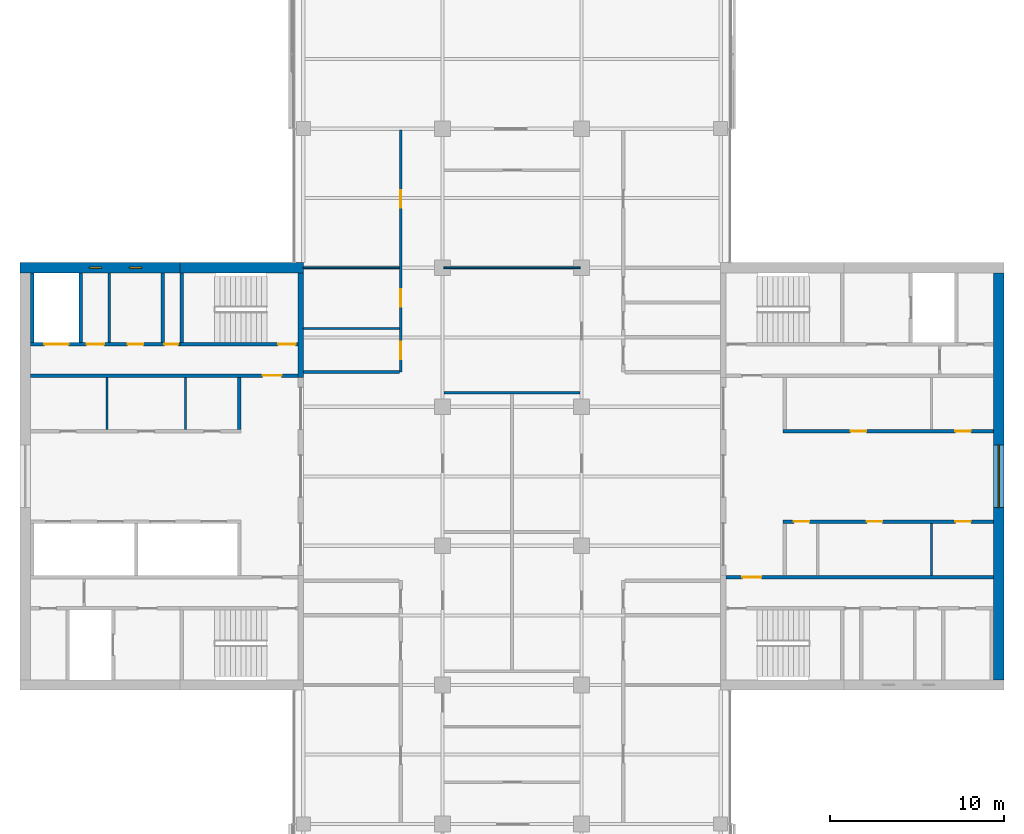
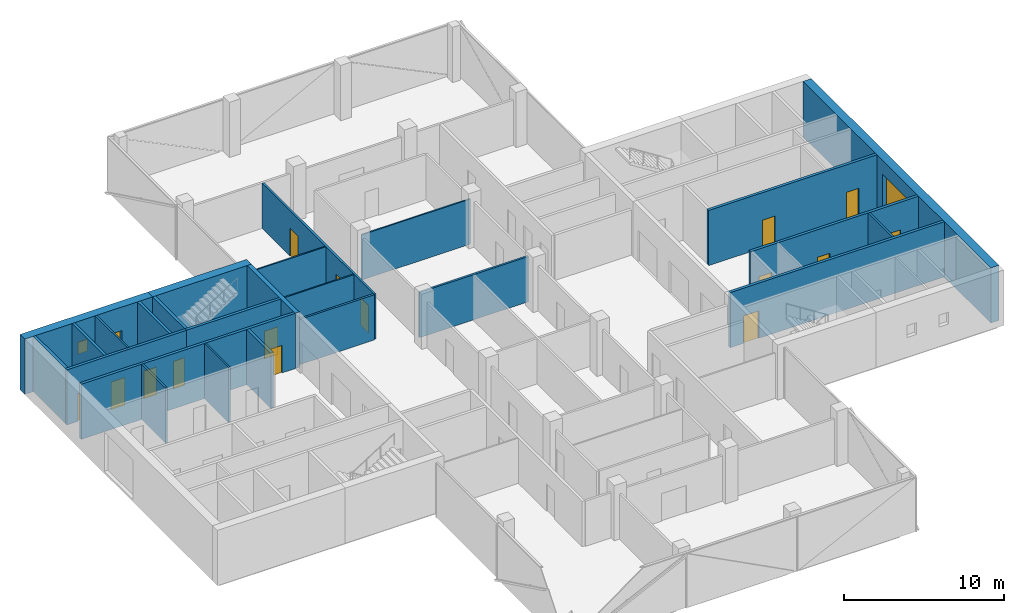
# One storey, part 11 of 16: 25 walls, 15 doors, 3 windows, 18 openings.
"""IFC4 building model written with IfcOpenShell, lengths in metres."""

from ifc_helpers import new_model, si_unit, direction, frame, frame_2d, origin, place, context, subcontext, project, spatial, rectangle, extrude, material, layer, layer_set, constituent, constituent_set, type_object, element, fill, save


model = new_model("IFC4")

# Units and contexts
model_context = context("Model", 3, precision=1e-05, world=origin(), true_north=direction((0.0, 1.0)))
body_context = subcontext(model_context, "Body", "Model", "MODEL_VIEW")
ifc_project = project(units=[si_unit("LENGTHUNIT", "METRE"), si_unit("AREAUNIT", "SQUARE_METRE"), si_unit("VOLUMEUNIT", "CUBIC_METRE"), si_unit("PLANEANGLEUNIT", "RADIAN"), si_unit("MASSUNIT", "GRAM", prefix="KILO")], contexts=[model_context])

# Site, building, storey
site_placement = place(None, origin())
site = spatial("IfcSite", under=ifc_project, at=site_placement, CompositionType="ELEMENT")
building_placement = place(site_placement, origin())
building = spatial("IfcBuilding", under=site, at=building_placement, Name="Crosswind Convention Tower", CompositionType="ELEMENT")
storey_placement = place(building_placement, frame((0.0, 0.0, 212.5)))
storey = spatial("IfcBuildingStorey", under=building, at=storey_placement, Name="L45", CompositionType="ELEMENT", Elevation=212.5)

# Walls
ifc_material_1 = material(Name="Concrete blockwork", Category="masonry")
ifc_layer_1 = layer(ifc_material_1, 0.199951171875)
ifc_layer_set_1 = layer_set([ifc_layer_1], Name="Blockwork partition wall 200")
wall_type_1 = type_object("IfcWallType", Name="Blockwork partition wall 200", PredefinedType="PARTITIONING", material=ifc_layer_set_1)
wall_1_placement = place(storey_placement, frame((104.89990234375, 111.699951171875, 0.0), z_axis=(0.0, 0.0, 1.0), x_axis=(0.0, -1.0, 0.0)))
element("IfcWall", 1, at=wall_1_placement, inside=storey, type_object=wall_type_1, Name="Wall MRSE W L45", PredefinedType="PARTITIONING", context=body_context, shape_type="SweptSolid", body=[
    extrude(rectangle(XDim=4.0, YDim=0.199951171875, at=frame_2d((2.0, 0.0))), origin(), (0.0, 0.0, 1.0), 4.199951171875),
])
ifc_material_2 = material(Name="Concrete C50/60", Category="concrete")
ifc_layer_2 = layer(ifc_material_2, 0.300048828125)
ifc_layer_set_2 = layer_set([ifc_layer_2], Name="Concrete C50/60")
wall_type_2 = type_object("IfcWallType", Name="Concrete inner core wall 300", PredefinedType="SHEAR", material=ifc_layer_set_2)
wall_2_placement = place(storey_placement, frame((112.85009765625, 111.699951171875, 0.0), z_axis=(0.0, 0.0, 1.0), x_axis=(0.0, -1.0, 0.0)))
element("IfcWall", 2, at=wall_2_placement, inside=storey, type_object=wall_type_2, Name="Wall EM W L45", PredefinedType="SHEAR", context=body_context, shape_type="SweptSolid", body=[
    extrude(rectangle(XDim=6.0, YDim=0.300048828125, at=frame_2d((3.0, 0.0))), origin(), (0.0, 0.0, 1.0), 4.199951171875),
])

# Wall, openings, doors
ifc_layer_3 = layer(ifc_material_2, 0.199951171875)
ifc_layer_set_3 = layer_set([ifc_layer_3], Name="Concrete C50/60")
wall_type_3 = type_object("IfcWallType", Name="Concrete shaft and stair wall 200", PredefinedType="SHEAR", material=ifc_layer_set_3)
wall_3_placement = place(storey_placement, frame((140.60009765625, 102.60009765625, 0.0), z_axis=(0.0, 0.0, 1.0), x_axis=(1.0, 0.0, 0.0)))
wall_3 = element("IfcWall", 3, at=wall_3_placement, inside=storey, type_object=wall_type_3, Name="Wall RPFRONT E L45", PredefinedType="SHEAR", context=body_context, shape_type="SweptSolid", body=[
    extrude(rectangle(XDim=12.099853515625, YDim=0.199951171875, at=frame_2d((6.0498046875, 0.0))), origin(), (0.0, 0.0, 1.0), 4.199951171875),
])
opening_1_placement = place(wall_3_placement, frame((3.8837890625, 0.0, 0.0)))
opening_1 = element("IfcOpeningElement", 4, at=opening_1_placement, cuts=wall_3, Name="Opening D106", PredefinedType="OPENING", context=body_context, shape_type="SweptSolid", body=[
    extrude(rectangle(XDim=0.89990234375, YDim=2.10009765625, at=frame_2d((0.449951171875, 1.050048828125))), frame((0.0, 0.10986328125, 0.0), z_axis=(0.0, -1.0, 0.0), x_axis=(1.0, 0.0, 0.0)), (0.0, 0.0, 1.0), 0.219970703125),
])
opening_2_placement = place(wall_3_placement, frame((9.896240234375, 0.0, 0.0)))
opening_2 = element("IfcOpeningElement", 5, at=opening_2_placement, cuts=wall_3, Name="Opening D106", PredefinedType="OPENING", context=body_context, shape_type="SweptSolid", body=[
    extrude(rectangle(XDim=0.89990234375, YDim=2.10009765625, at=frame_2d((0.449951171875, 1.050048828125))), frame((0.0, 0.10986328125, 0.0), z_axis=(0.0, -1.0, 0.0), x_axis=(1.0, 0.0, 0.0)), (0.0, 0.0, 1.0), 0.219970703125),
])
ifc_material_3 = material(Name="Timber door", Category="wood")
door_type_1 = type_object("IfcDoorType", Name="Single leaf door 900x2100", OperationType="NOTDEFINED", PredefinedType="DOOR", material=ifc_material_3)
door_1_placement = place(opening_1_placement, origin())
door_1 = element("IfcDoor", 6, at=door_1_placement, inside=storey, type_object=door_type_1, Name="Door to telecoms room L45", ObjectType="D106", OperationType="SINGLE_SWING_RIGHT", OverallHeight=2.10009765625, OverallWidth=0.89990234375, PredefinedType="DOOR", context=body_context, shape_type="SweptSolid", body=[
    extrude(rectangle(XDim=0.89990234375, YDim=2.10009765625, at=frame_2d((0.449951171875, 1.050048828125))), frame((0.0, 0.02490234375, 0.0), z_axis=(0.0, -1.0, 0.0), x_axis=(1.0, 0.0, 0.0)), (0.0, 0.0, 1.0), 0.050048828125),
])
fill(opening_1, door_1)
door_2_placement = place(opening_2_placement, origin())
door_2 = element("IfcDoor", 7, at=door_2_placement, inside=storey, type_object=door_type_1, Name="Door to storeroom L45", ObjectType="D106", OperationType="SINGLE_SWING_RIGHT", OverallHeight=2.10009765625, OverallWidth=0.89990234375, PredefinedType="DOOR", context=body_context, shape_type="SweptSolid", body=[
    extrude(rectangle(XDim=0.89990234375, YDim=2.10009765625, at=frame_2d((0.449951171875, 1.050048828125))), frame((0.0, 0.02490234375, 0.0), z_axis=(0.0, -1.0, 0.0), x_axis=(1.0, 0.0, 0.0)), (0.0, 0.0, 1.0), 0.050048828125),
])
fill(opening_2, door_2)

wall_4_placement = place(storey_placement, frame((140.60009765625, 97.39990234375, 0.0), z_axis=(0.0, 0.0, 1.0), x_axis=(1.0, 0.0, 0.0)))
wall_4 = element("IfcWall", 8, at=wall_4_placement, inside=storey, type_object=wall_type_3, Name="Wall RMFRONT E L45", PredefinedType="SHEAR", context=body_context, shape_type="SweptSolid", body=[
    extrude(rectangle(XDim=12.099853515625, YDim=0.199951171875, at=frame_2d((6.0498046875, 0.0))), origin(), (0.0, 0.0, 1.0), 4.199951171875),
])
opening_3_placement = place(wall_4_placement, frame((0.611328125, 0.0, 0.0)))
opening_3 = element("IfcOpeningElement", 9, at=opening_3_placement, cuts=wall_4, Name="Opening D106", PredefinedType="OPENING", context=body_context, shape_type="SweptSolid", body=[
    extrude(rectangle(XDim=0.89990234375, YDim=2.10009765625, at=frame_2d((0.449951171875, 1.050048828125))), frame((0.0, 0.10986328125, 0.0), z_axis=(0.0, -1.0, 0.0), x_axis=(1.0, 0.0, 0.0)), (0.0, 0.0, 1.0), 0.219970703125),
])
opening_4_placement = place(wall_4_placement, frame((4.8076171875, 0.0, 0.0)))
opening_4 = element("IfcOpeningElement", 10, at=opening_4_placement, cuts=wall_4, Name="Opening D106", PredefinedType="OPENING", context=body_context, shape_type="SweptSolid", body=[
    extrude(rectangle(XDim=0.89990234375, YDim=2.10009765625, at=frame_2d((0.449951171875, 1.050048828125))), frame((0.0, 0.10986328125, 0.0), z_axis=(0.0, -1.0, 0.0), x_axis=(1.0, 0.0, 0.0)), (0.0, 0.0, 1.0), 0.219970703125),
])
opening_5_placement = place(wall_4_placement, frame((9.896240234375, 0.0, 0.0)))
opening_5 = element("IfcOpeningElement", 11, at=opening_5_placement, cuts=wall_4, Name="Opening D106", PredefinedType="OPENING", context=body_context, shape_type="SweptSolid", body=[
    extrude(rectangle(XDim=0.89990234375, YDim=2.10009765625, at=frame_2d((0.449951171875, 1.050048828125))), frame((0.0, 0.10986328125, 0.0), z_axis=(0.0, -1.0, 0.0), x_axis=(1.0, 0.0, 0.0)), (0.0, 0.0, 1.0), 0.219970703125),
])
door_3_placement = place(opening_3_placement, frame((0.89990234375, 0.0, 0.0), z_axis=(0.0, 0.0, 1.0), x_axis=(-1.0, 0.0, 0.0)))
door_3 = element("IfcDoor", 12, at=door_3_placement, inside=storey, type_object=door_type_1, Name="Door to storeroom L45", ObjectType="D106", OperationType="SINGLE_SWING_LEFT", OverallHeight=2.10009765625, OverallWidth=0.89990234375, PredefinedType="DOOR", context=body_context, shape_type="SweptSolid", body=[
    extrude(rectangle(XDim=0.89990234375, YDim=2.10009765625, at=frame_2d((0.449951171875, 1.050048828125))), frame((0.0, 0.02490234375, 0.0), z_axis=(0.0, -1.0, 0.0), x_axis=(1.0, 0.0, 0.0)), (0.0, 0.0, 1.0), 0.050048828125),
])
fill(opening_3, door_3)
door_4_placement = place(opening_4_placement, frame((0.89990234375, 0.0, 0.0), z_axis=(0.0, 0.0, 1.0), x_axis=(-1.0, 0.0, 0.0)))
door_4 = element("IfcDoor", 13, at=door_4_placement, inside=storey, type_object=door_type_1, Name="Door to tenant services room L45", ObjectType="D106", OperationType="SINGLE_SWING_LEFT", OverallHeight=2.10009765625, OverallWidth=0.89990234375, PredefinedType="DOOR", context=body_context, shape_type="SweptSolid", body=[
    extrude(rectangle(XDim=0.89990234375, YDim=2.10009765625, at=frame_2d((0.449951171875, 1.050048828125))), frame((0.0, 0.02490234375, 0.0), z_axis=(0.0, -1.0, 0.0), x_axis=(1.0, 0.0, 0.0)), (0.0, 0.0, 1.0), 0.050048828125),
])
fill(opening_4, door_4)
door_5_placement = place(opening_5_placement, frame((0.89990234375, 0.0, 0.0), z_axis=(0.0, 0.0, 1.0), x_axis=(-1.0, 0.0, 0.0)))
door_5 = element("IfcDoor", 14, at=door_5_placement, inside=storey, type_object=door_type_1, Name="Door to copy and print room L45", ObjectType="D106", OperationType="SINGLE_SWING_LEFT", OverallHeight=2.10009765625, OverallWidth=0.89990234375, PredefinedType="DOOR", context=body_context, shape_type="SweptSolid", body=[
    extrude(rectangle(XDim=0.89990234375, YDim=2.10009765625, at=frame_2d((0.449951171875, 1.050048828125))), frame((0.0, 0.02490234375, 0.0), z_axis=(0.0, -1.0, 0.0), x_axis=(1.0, 0.0, 0.0)), (0.0, 0.0, 1.0), 0.050048828125),
])
fill(opening_5, door_5)

# Wall, opening, door
wall_5_placement = place(storey_placement, frame((137.300048828125, 94.199951171875, 0.0), z_axis=(0.0, 0.0, 1.0), x_axis=(1.0, 0.0, 0.0)))
wall_5 = element("IfcWall", 15, at=wall_5_placement, inside=storey, type_object=wall_type_3, Name="Wall HM E L45", PredefinedType="SHEAR", context=body_context, shape_type="SweptSolid", body=[
    extrude(rectangle(XDim=15.39990234375, YDim=0.199951171875, at=frame_2d((7.699951171875, 0.0))), origin(), (0.0, 0.0, 1.0), 4.199951171875),
])
opening_6_placement = place(wall_5_placement, frame((0.949951171875, 0.0, 0.0)))
opening_6 = element("IfcOpeningElement", 16, at=opening_6_placement, cuts=wall_5, Name="Opening D104", PredefinedType="OPENING", context=body_context, shape_type="SweptSolid", body=[
    extrude(rectangle(XDim=1.10009765625, YDim=2.10009765625, at=frame_2d((0.550048828125, 1.050048828125))), frame((0.0, 0.10986328125, 0.0), z_axis=(0.0, -1.0, 0.0), x_axis=(1.0, 0.0, 0.0)), (0.0, 0.0, 1.0), 0.219970703125),
])
ifc_material_4 = material(Name="Steel fire door", Category="steel")
door_type_2 = type_object("IfcDoorType", Name="Fire-rated single door 1100x2100", OperationType="NOTDEFINED", PredefinedType="DOOR", material=ifc_material_4)
door_6_placement = place(opening_6_placement, origin())
door_6 = element("IfcDoor", 17, at=door_6_placement, inside=storey, type_object=door_type_2, Name="Corridor door L45", ObjectType="D104", OperationType="SINGLE_SWING_LEFT", OverallHeight=2.10009765625, OverallWidth=1.10009765625, PredefinedType="DOOR", context=body_context, shape_type="SweptSolid", body=[
    extrude(rectangle(XDim=1.10009765625, YDim=2.10009765625, at=frame_2d((0.550048828125, 1.050048828125))), frame((0.0, 0.02490234375, 0.0), z_axis=(0.0, -1.0, 0.0), x_axis=(1.0, 0.0, 0.0)), (0.0, 0.0, 1.0), 0.050048828125),
])
fill(opening_6, door_6)

# Wall
wall_6_placement = place(storey_placement, frame((109.300048828125, 105.699951171875, 0.0), z_axis=(0.0, 0.0, 1.0), x_axis=(0.0, -1.0, 0.0)))
element("IfcWall", 18, at=wall_6_placement, inside=storey, type_object=wall_type_3, Name="Wall RMEND W L45", PredefinedType="SHEAR", context=body_context, shape_type="SweptSolid", body=[
    extrude(rectangle(XDim=3.0, YDim=0.199951171875, at=frame_2d((1.5, 0.0))), origin(), (0.0, 0.0, 1.0), 4.199951171875),
])

# Wall, opening, door
wall_7_placement = place(storey_placement, frame((112.699951171875, 105.800048828125, 0.0), z_axis=(0.0, 0.0, 1.0), x_axis=(-1.0, 0.0, 0.0)))
wall_7 = element("IfcWall", 19, at=wall_7_placement, inside=storey, type_object=wall_type_3, Name="Wall HM W L45", PredefinedType="SHEAR", context=body_context, shape_type="SweptSolid", body=[
    extrude(rectangle(XDim=15.39990234375, YDim=0.199951171875, at=frame_2d((7.699951171875, 0.0))), origin(), (0.0, 0.0, 1.0), 4.199951171875),
])
opening_7_placement = place(wall_7_placement, frame((0.949951171875, 0.0, 0.0)))
opening_7 = element("IfcOpeningElement", 20, at=opening_7_placement, cuts=wall_7, Name="Opening D104", PredefinedType="OPENING", context=body_context, shape_type="SweptSolid", body=[
    extrude(rectangle(XDim=1.10009765625, YDim=2.10009765625, at=frame_2d((0.550048828125, 1.050048828125))), frame((0.0, 0.10986328125, 0.0), z_axis=(0.0, -1.0, 0.0), x_axis=(1.0, 0.0, 0.0)), (0.0, 0.0, 1.0), 0.219970703125),
])
door_7_placement = place(opening_7_placement, origin())
door_7 = element("IfcDoor", 21, at=door_7_placement, inside=storey, type_object=door_type_2, Name="Corridor door L45", ObjectType="D104", OperationType="SINGLE_SWING_LEFT", OverallHeight=2.10009765625, OverallWidth=1.10009765625, PredefinedType="DOOR", context=body_context, shape_type="SweptSolid", body=[
    extrude(rectangle(XDim=1.10009765625, YDim=2.10009765625, at=frame_2d((0.550048828125, 1.050048828125))), frame((0.0, 0.02490234375, 0.0), z_axis=(0.0, -1.0, 0.0), x_axis=(1.0, 0.0, 0.0)), (0.0, 0.0, 1.0), 0.050048828125),
])
fill(opening_7, door_7)

# Walls
for number, where, z_axis, x_axis, name in (
    (22, (106.0, 111.699951171875, 0.0), (0.0, 0.0, 1.0), (0.0, -1.0, 0.0), "Wall MSE W L45"),
    (23, (100.199951171875, 111.699951171875, 0.0), (0.0, 0.0, 1.0), (0.0, -1.0, 0.0), "Wall MFSW W L45"),
    (24, (97.39990234375, 111.699951171875, 0.0), (0.0, 0.0, 1.0), (0.0, -1.0, 0.0), "Wall MFSE W L45"),
):
    element("IfcWall", number, at=place(storey_placement, frame(where, z_axis=z_axis, x_axis=x_axis)), inside=storey, type_object=wall_type_3, Name=name, PredefinedType="SHEAR", context=body_context, shape_type="SweptSolid", body=[
        extrude(rectangle(XDim=4.0, YDim=0.199951171875, at=frame_2d((2.0, 0.0))), origin(), (0.0, 0.0, 1.0), 4.199951171875),
    ])

# Wall, opening, door
wall_8_placement = place(storey_placement, frame((112.699951171875, 107.60009765625, 0.0), z_axis=(0.0, 0.0, 1.0), x_axis=(-1.0, 0.0, 0.0)))
wall_8 = element("IfcWall", 25, at=wall_8_placement, inside=storey, type_object=wall_type_3, Name="Wall MCW W L45", PredefinedType="SHEAR", context=body_context, shape_type="SweptSolid", body=[
    extrude(rectangle(XDim=6.800048828125, YDim=0.199951171875, at=frame_2d((3.39990234375, 0.0))), origin(), (0.0, 0.0, 1.0), 4.199951171875),
])
opening_8_placement = place(wall_8_placement, frame((0.14990234375, 0.0, 0.0)))
opening_8 = element("IfcOpeningElement", 26, at=opening_8_placement, cuts=wall_8, Name="Opening D103", PredefinedType="OPENING", context=body_context, shape_type="SweptSolid", body=[
    extrude(rectangle(XDim=1.0, YDim=2.10009765625, at=frame_2d((0.5, 1.050048828125))), frame((0.0, 0.10986328125, 0.0), z_axis=(0.0, -1.0, 0.0), x_axis=(1.0, 0.0, 0.0)), (0.0, 0.0, 1.0), 0.219970703125),
])
door_type_3 = type_object("IfcDoorType", Name="Fire-rated single door 1000x2100", OperationType="NOTDEFINED", PredefinedType="DOOR", material=ifc_material_4)
door_8_placement = place(opening_8_placement, frame((1.0, 0.0, 0.0), z_axis=(0.0, 0.0, 1.0), x_axis=(-1.0, 0.0, 0.0)))
door_8 = element("IfcDoor", 27, at=door_8_placement, inside=storey, type_object=door_type_3, Name="Stair ST4 door L45", ObjectType="D103", OperationType="SINGLE_SWING_RIGHT", OverallHeight=2.10009765625, OverallWidth=1.0, PredefinedType="DOOR", context=body_context, shape_type="SweptSolid", body=[
    extrude(rectangle(XDim=1.0, YDim=2.10009765625, at=frame_2d((0.5, 1.050048828125))), frame((0.0, 0.02490234375, 0.0), z_axis=(0.0, -1.0, 0.0), x_axis=(1.0, 0.0, 0.0)), (0.0, 0.0, 1.0), 0.050048828125),
])
fill(opening_8, door_8)

# Wall, openings, doors
wall_9_placement = place(storey_placement, frame((105.89990234375, 107.60009765625, 0.0), z_axis=(0.0, 0.0, 1.0), x_axis=(-1.0, 0.0, 0.0)))
wall_9 = element("IfcWall", 28, at=wall_9_placement, inside=storey, type_object=wall_type_3, Name="Wall MCX W L45", PredefinedType="SHEAR", context=body_context, shape_type="SweptSolid", body=[
    extrude(rectangle(XDim=8.599853515625, YDim=0.199951171875, at=frame_2d((4.2998046875, 0.0))), origin(), (0.0, 0.0, 1.0), 4.199951171875),
])
opening_9_placement = place(wall_9_placement, frame((0.10009765625, 0.0, 0.0)))
opening_9 = element("IfcOpeningElement", 29, at=opening_9_placement, cuts=wall_9, Name="Opening D105", PredefinedType="OPENING", context=body_context, shape_type="SweptSolid", body=[
    extrude(rectangle(XDim=0.800048828125, YDim=2.10009765625, at=frame_2d((0.39990234375, 1.050048828125))), frame((0.0, 0.10986328125, 0.0), z_axis=(0.0, -1.0, 0.0), x_axis=(1.0, 0.0, 0.0)), (0.0, 0.0, 1.0), 0.219970703125),
])
opening_10_placement = place(wall_9_placement, frame((2.103759765625, 0.0, 0.0)))
opening_10 = element("IfcOpeningElement", 30, at=opening_10_placement, cuts=wall_9, Name="Opening D106", PredefinedType="OPENING", context=body_context, shape_type="SweptSolid", body=[
    extrude(rectangle(XDim=0.89990234375, YDim=2.10009765625, at=frame_2d((0.449951171875, 1.050048828125))), frame((0.0, 0.10986328125, 0.0), z_axis=(0.0, -1.0, 0.0), x_axis=(1.0, 0.0, 0.0)), (0.0, 0.0, 1.0), 0.219970703125),
])
opening_11_placement = place(wall_9_placement, frame((4.3662109375, 0.0, 0.0)))
opening_11 = element("IfcOpeningElement", 31, at=opening_11_placement, cuts=wall_9, Name="Opening D103", PredefinedType="OPENING", context=body_context, shape_type="SweptSolid", body=[
    extrude(rectangle(XDim=1.0, YDim=2.10009765625, at=frame_2d((0.5, 1.050048828125))), frame((0.0, 0.10986328125, 0.0), z_axis=(0.0, -1.0, 0.0), x_axis=(1.0, 0.0, 0.0)), (0.0, 0.0, 1.0), 0.219970703125),
])
opening_12_placement = place(wall_9_placement, frame((6.39990234375, 0.0, 0.0)))
opening_12 = element("IfcOpeningElement", 32, at=opening_12_placement, cuts=wall_9, Name="Opening LD2", PredefinedType="OPENING", context=body_context, shape_type="SweptSolid", body=[
    extrude(rectangle(XDim=1.39990234375, YDim=2.10009765625, at=frame_2d((0.699951171875, 1.050048828125))), frame((0.0, 0.10986328125, 0.0), z_axis=(0.0, -1.0, 0.0), x_axis=(1.0, 0.0, 0.0)), (0.0, 0.0, 1.0), 0.219970703125),
])
door_9_placement = place(opening_11_placement, frame((1.0, 0.0, 0.0), z_axis=(0.0, 0.0, 1.0), x_axis=(-1.0, 0.0, 0.0)))
door_9 = element("IfcDoor", 33, at=door_9_placement, inside=storey, type_object=door_type_3, Name="Door to accessible wc L45", ObjectType="D103", OperationType="SINGLE_SWING_LEFT", OverallHeight=2.10009765625, OverallWidth=1.0, PredefinedType="DOOR", context=body_context, shape_type="SweptSolid", body=[
    extrude(rectangle(XDim=1.0, YDim=2.10009765625, at=frame_2d((0.5, 1.050048828125))), frame((0.0, 0.02490234375, 0.0), z_axis=(0.0, -1.0, 0.0), x_axis=(1.0, 0.0, 0.0)), (0.0, 0.0, 1.0), 0.050048828125),
])
fill(opening_11, door_9)
ifc_material_5 = material(Name="Stainless steel", Category="steel")
door_type_4 = type_object("IfcDoorType", Name="Lift landing door 1400x2100", OperationType="DOUBLE_DOOR_SLIDING", PredefinedType="DOOR", material=ifc_material_5)
door_10_placement = place(opening_12_placement, origin())
door_10 = element("IfcDoor", 34, at=door_10_placement, inside=storey, type_object=door_type_4, Name="Landing door SV2 L45", ObjectType="LD2", OperationType="DOUBLE_DOOR_SLIDING", OverallHeight=2.10009765625, OverallWidth=1.39990234375, PredefinedType="DOOR", context=body_context, shape_type="SweptSolid", body=[
    extrude(rectangle(XDim=1.39990234375, YDim=2.10009765625, at=frame_2d((0.699951171875, 1.050048828125))), frame((0.0, 0.02490234375, 0.0), z_axis=(0.0, -1.0, 0.0), x_axis=(1.0, 0.0, 0.0)), (0.0, 0.0, 1.0), 0.050048828125),
])
fill(opening_12, door_10)
door_type_5 = type_object("IfcDoorType", Name="Riser access door 800x2100", OperationType="NOTDEFINED", PredefinedType="DOOR", material=ifc_material_4)
door_11_placement = place(opening_9_placement, frame((0.800048828125, 0.0, 0.0), z_axis=(0.0, 0.0, 1.0), x_axis=(-1.0, 0.0, 0.0)))
door_11 = element("IfcDoor", 35, at=door_11_placement, inside=storey, type_object=door_type_5, Name="Riser door L45", ObjectType="D105", OperationType="SINGLE_SWING_LEFT", OverallHeight=2.10009765625, OverallWidth=0.800048828125, PredefinedType="DOOR", context=body_context, shape_type="SweptSolid", body=[
    extrude(rectangle(XDim=0.800048828125, YDim=2.10009765625, at=frame_2d((0.39990234375, 1.050048828125))), frame((0.0, 0.02490234375, 0.0), z_axis=(0.0, -1.0, 0.0), x_axis=(1.0, 0.0, 0.0)), (0.0, 0.0, 1.0), 0.050048828125),
])
fill(opening_9, door_11)
door_12_placement = place(opening_10_placement, frame((0.89990234375, 0.0, 0.0), z_axis=(0.0, 0.0, 1.0), x_axis=(-1.0, 0.0, 0.0)))
door_12 = element("IfcDoor", 36, at=door_12_placement, inside=storey, type_object=door_type_1, Name="Door to wc L45", ObjectType="D106", OperationType="SINGLE_SWING_LEFT", OverallHeight=2.10009765625, OverallWidth=0.89990234375, PredefinedType="DOOR", context=body_context, shape_type="SweptSolid", body=[
    extrude(rectangle(XDim=0.89990234375, YDim=2.10009765625, at=frame_2d((0.449951171875, 1.050048828125))), frame((0.0, 0.02490234375, 0.0), z_axis=(0.0, -1.0, 0.0), x_axis=(1.0, 0.0, 0.0)), (0.0, 0.0, 1.0), 0.050048828125),
])
fill(opening_10, door_12)

# Walls
ifc_material_6 = material(Name="Gypsum plasterboard partition", Category="gypsum")
ifc_layer_4 = layer(ifc_material_6, 0.125)
ifc_layer_set_4 = layer_set([ifc_layer_4], Name="Drywall partition wall 125")
wall_type_4 = type_object("IfcWallType", Name="Drywall partition wall 125", PredefinedType="PARTITIONING", material=ifc_layer_set_4)
for number, where, z_axis, x_axis, name in (
    (37, (149.1298828125, 94.300048828125, 0.0), (0.0, 0.0, 1.0), (0.0, 1.0, 0.0), "Wall RMP2 E L45"),
    (38, (106.22509765625, 105.699951171875, 0.0), (0.0, 0.0, 1.0), (0.0, -1.0, 0.0), "Wall RMP1 W L45"),
    (39, (101.702880859375, 105.699951171875, 0.0), (0.0, 0.0, 1.0), (0.0, -1.0, 0.0), "Wall RMP2 W L45"),
):
    element("IfcWall", number, at=place(storey_placement, frame(where, z_axis=z_axis, x_axis=x_axis)), inside=storey, type_object=wall_type_4, Name=name, PredefinedType="PARTITIONING", context=body_context, shape_type="SweptSolid", body=[
        extrude(rectangle(XDim=3.0, YDim=0.125, at=frame_2d((1.5, 0.0))), origin(), (0.0, 0.0, 1.0), 4.199951171875),
    ])
wall_10_placement = place(storey_placement, frame((101.830078125, 111.699951171875, 0.0), z_axis=(0.0, 0.0, 1.0), x_axis=(0.0, -1.0, 0.0)))
element("IfcWall", 40, at=wall_10_placement, inside=storey, type_object=wall_type_4, Name="Wall MWP1 W L45", PredefinedType="PARTITIONING", context=body_context, shape_type="SweptSolid", body=[
    extrude(rectangle(XDim=4.0, YDim=0.125, at=frame_2d((2.0, 0.0))), origin(), (0.0, 0.0, 1.0), 4.199951171875),
])
ifc_material_7 = material(Name="Plasterboard partition", Category="gypsum")
ifc_layer_5 = layer(ifc_material_7, 0.10009765625)
ifc_layer_set_5 = layer_set([ifc_layer_5], Name="PARTITION 100 METAL STUD")
wall_type_5 = type_object("IfcWallType", Name="PARTITION 100 METAL STUD", PredefinedType="PARTITIONING", material=ifc_layer_set_5)
for number, where, z_axis, x_axis, name in (
    (41, (113.0, 108.5, 0.0), (0.0, 0.0, 1.0), (1.0, 0.0, 0.0), "Partition wall WT40"),
    (42, (113.0, 112.0, 0.0), (0.0, 0.0, 1.0), (1.0, 0.0, 0.0), "Partition wall WT40"),
):
    element("IfcWall", number, at=place(storey_placement, frame(where, z_axis=z_axis, x_axis=x_axis)), inside=storey, type_object=wall_type_5, Name=name, PredefinedType="PARTITIONING", context=body_context, shape_type="SweptSolid", body=[
        extrude(rectangle(XDim=5.52490234375, YDim=0.10009765625, at=frame_2d((2.762451171875, 0.0))), origin(), (0.0, 0.0, 1.0), 3.439697265625),
    ])
wall_11_placement = place(storey_placement, frame((121.074951171875, 112.0, 0.0), z_axis=(0.0, 0.0, 1.0), x_axis=(1.0, 0.0, 0.0)))
element("IfcWall", 43, at=wall_11_placement, inside=storey, type_object=wall_type_5, Name="Partition wall WT40", PredefinedType="PARTITIONING", context=body_context, shape_type="SweptSolid", body=[
    extrude(rectangle(XDim=7.85009765625, YDim=0.10009765625, at=frame_2d((3.925048828125, 0.0))), origin(), (0.0, 0.0, 1.0), 3.439697265625),
])

# Wall, openings, doors
ifc_material_8 = material(Name="Fire-board partition with mineral wool", Category="gypsum")
ifc_layer_6 = layer(ifc_material_8, 0.14990234375)
ifc_layer_set_6 = layer_set([ifc_layer_6], Name="TENANCY WALL 150 TWO-HOUR BOARD")
wall_type_6 = type_object("IfcWallType", Name="TENANCY WALL 150 TWO-HOUR BOARD", PredefinedType="PARTITIONING", material=ifc_layer_set_6)
wall_12_placement = place(storey_placement, frame((118.60009765625, 106.0, 0.0), z_axis=(0.0, 0.0, 1.0), x_axis=(0.0, 1.0, 0.0)))
wall_12 = element("IfcWall", 44, at=wall_12_placement, inside=storey, type_object=wall_type_6, Name="Tenancy wall WT41", PredefinedType="PARTITIONING", context=body_context, shape_type="SweptSolid", body=[
    extrude(rectangle(XDim=13.925048828125, YDim=0.14990234375, at=frame_2d((6.96240234375, 0.0))), origin(), (0.0, 0.0, 1.0), 3.439697265625),
])
opening_13_placement = place(wall_12_placement, frame((0.75, 0.0, 0.0)))
opening_13 = element("IfcOpeningElement", 45, at=opening_13_placement, cuts=wall_12, Name="Opening L45-57", PredefinedType="OPENING", context=body_context, shape_type="SweptSolid", body=[
    extrude(rectangle(XDim=1.0, YDim=2.10009765625, at=frame_2d((0.5, 1.050048828125))), frame((0.0, 0.0849609375, 0.0), z_axis=(0.0, -1.0, 0.0), x_axis=(1.0, 0.0, 0.0)), (0.0, 0.0, 1.0), 0.169921875),
])
opening_14_placement = place(wall_12_placement, frame((3.75, 0.0, 0.0)))
opening_14 = element("IfcOpeningElement", 46, at=opening_14_placement, cuts=wall_12, Name="Opening L45-58", PredefinedType="OPENING", context=body_context, shape_type="SweptSolid", body=[
    extrude(rectangle(XDim=1.0, YDim=2.10009765625, at=frame_2d((0.5, 1.050048828125))), frame((0.0, 0.0849609375, 0.0), z_axis=(0.0, -1.0, 0.0), x_axis=(1.0, 0.0, 0.0)), (0.0, 0.0, 1.0), 0.169921875),
])
opening_15_placement = place(wall_12_placement, frame((9.449951171875, 0.0, 0.0)))
opening_15 = element("IfcOpeningElement", 47, at=opening_15_placement, cuts=wall_12, Name="Opening L45-59", PredefinedType="OPENING", context=body_context, shape_type="SweptSolid", body=[
    extrude(rectangle(XDim=1.0, YDim=2.10009765625, at=frame_2d((0.5, 1.050048828125))), frame((0.0, 0.0849609375, 0.0), z_axis=(0.0, -1.0, 0.0), x_axis=(1.0, 0.0, 0.0)), (0.0, 0.0, 1.0), 0.169921875),
])
ifc_material_9 = material(Name="Timber fire door", Category="wood")
door_type_6 = type_object("IfcDoorType", Name="TENANCY ENTRANCE DOOR 1000X2100 FD30S", OperationType="NOTDEFINED", PredefinedType="DOOR", material=ifc_material_9)
door_13_placement = place(opening_13_placement, origin())
door_13 = element("IfcDoor", 48, at=door_13_placement, inside=storey, type_object=door_type_6, Name="Door L45-57", ObjectType="D41", OperationType="SINGLE_SWING_RIGHT", OverallHeight=2.10009765625, OverallWidth=1.0, PredefinedType="DOOR", context=body_context, shape_type="SweptSolid", body=[
    extrude(rectangle(XDim=1.0, YDim=2.10009765625, at=frame_2d((0.5, 1.050048828125))), frame((0.0, 0.02490234375, 0.0), z_axis=(0.0, -1.0, 0.0), x_axis=(1.0, 0.0, 0.0)), (0.0, 0.0, 1.0), 0.050048828125),
])
fill(opening_13, door_13)
door_14_placement = place(opening_14_placement, origin())
door_14 = element("IfcDoor", 49, at=door_14_placement, inside=storey, type_object=door_type_6, Name="Door L45-58", ObjectType="D41", OperationType="SINGLE_SWING_RIGHT", OverallHeight=2.10009765625, OverallWidth=1.0, PredefinedType="DOOR", context=body_context, shape_type="SweptSolid", body=[
    extrude(rectangle(XDim=1.0, YDim=2.10009765625, at=frame_2d((0.5, 1.050048828125))), frame((0.0, 0.02490234375, 0.0), z_axis=(0.0, -1.0, 0.0), x_axis=(1.0, 0.0, 0.0)), (0.0, 0.0, 1.0), 0.050048828125),
])
fill(opening_14, door_14)
door_15_placement = place(opening_15_placement, origin())
door_15 = element("IfcDoor", 50, at=door_15_placement, inside=storey, type_object=door_type_6, Name="Door L45-59", ObjectType="D41", OperationType="SINGLE_SWING_LEFT", OverallHeight=2.10009765625, OverallWidth=1.0, PredefinedType="DOOR", context=body_context, shape_type="SweptSolid", body=[
    extrude(rectangle(XDim=1.0, YDim=2.10009765625, at=frame_2d((0.5, 1.050048828125))), frame((0.0, 0.02490234375, 0.0), z_axis=(0.0, -1.0, 0.0), x_axis=(1.0, 0.0, 0.0)), (0.0, 0.0, 1.0), 0.050048828125),
])
fill(opening_15, door_15)

# Walls
wall_13_placement = place(storey_placement, frame((121.074951171875, 104.800048828125, 0.0), z_axis=(0.0, 0.0, 1.0), x_axis=(1.0, 0.0, 0.0)))
element("IfcWall", 51, at=wall_13_placement, inside=storey, type_object=wall_type_6, Name="Tenancy wall WT41", PredefinedType="PARTITIONING", context=body_context, shape_type="SweptSolid", body=[
    extrude(rectangle(XDim=7.85009765625, YDim=0.14990234375, at=frame_2d((3.925048828125, 0.0))), origin(), (0.0, 0.0, 1.0), 3.439697265625),
])
wall_14_placement = place(storey_placement, frame((113.0, 106.0, 0.0), z_axis=(0.0, 0.0, 1.0), x_axis=(1.0, 0.0, 0.0)))
element("IfcWall", 52, at=wall_14_placement, inside=storey, type_object=wall_type_6, Name="Tenancy wall WT41", PredefinedType="PARTITIONING", context=body_context, shape_type="SweptSolid", body=[
    extrude(rectangle(XDim=5.52490234375, YDim=0.14990234375, at=frame_2d((2.762451171875, 0.0))), origin(), (0.0, 0.0, 1.0), 3.439697265625),
])

# Wall, opening, window
ifc_material_10 = material(Name="Concrete C60/75", Category="concrete")
ifc_constituent_1 = constituent(ifc_material_10, Name="Structure")
ifc_material_11 = material(Name="Terracotta rainscreen", Category="ceramic")
ifc_constituent_2 = constituent(ifc_material_11, Name="Facing")
ifc_constituent_set = constituent_set(constituents=[ifc_constituent_1, ifc_constituent_2], Name="Concrete C60/75, Terracotta rainscreen")
wall_type_7 = type_object("IfcWallType", Name="Terracotta rainscreen on concrete core wall 600", PredefinedType="SHEAR", material=ifc_constituent_set)
wall_15_placement = place(storey_placement, frame((153.0, 88.300048828125, 0.0), z_axis=(0.0, 0.0, 1.0), x_axis=(0.0, 1.0, 0.0)))
wall_15 = element("IfcWall", 53, at=wall_15_placement, inside=storey, type_object=wall_type_7, Name="Wall O E L45", PredefinedType="SHEAR", context=body_context, shape_type="SweptSolid", body=[
    extrude(rectangle(XDim=23.39990234375, YDim=0.60009765625, at=frame_2d((11.699951171875, 0.0))), origin(), (0.0, 0.0, 1.0), 4.199951171875),
])
opening_16_placement = place(wall_15_placement, frame((9.89990234375, 0.0, 0.14990234375)))
opening_16 = element("IfcOpeningElement", 54, at=opening_16_placement, cuts=wall_15, Name="Opening W1", PredefinedType="OPENING", context=body_context, shape_type="SweptSolid", body=[
    extrude(rectangle(XDim=3.60009765625, YDim=3.0, at=frame_2d((1.800048828125, 1.5))), frame((0.0, 0.31005859375, 0.0), z_axis=(0.0, -1.0, 0.0), x_axis=(1.0, 0.0, 0.0)), (0.0, 0.0, 1.0), 0.6201171875),
])
ifc_material_12 = material(Name="Clear laminated glass in aluminium frame", Category="aluminium")
window_type_1 = type_object("IfcWindowType", Name="Lobby end window 3600x3000", PartitioningType="SINGLE_PANEL", PredefinedType="WINDOW", material=ifc_material_12)
window_1_placement = place(opening_16_placement, origin())
window_1 = element("IfcWindow", 55, at=window_1_placement, inside=storey, type_object=window_type_1, Name="Lobby end window L45", ObjectType="W1", OverallHeight=3.0, OverallWidth=3.60009765625, PartitioningType="SINGLE_PANEL", PredefinedType="WINDOW", context=body_context, shape_type="SweptSolid", body=[
    extrude(rectangle(XDim=3.60009765625, YDim=3.0, at=frame_2d((1.800048828125, 1.5))), frame((0.0, 0.030029296875, 0.0), z_axis=(0.0, -1.0, 0.0), x_axis=(1.0, 0.0, 0.0)), (0.0, 0.0, 1.0), 0.06005859375),
])
fill(opening_16, window_1)

# Wall
wall_16_placement = place(storey_placement, frame((113.0, 112.0, 0.0), z_axis=(0.0, 0.0, 1.0), x_axis=(-1.0, 0.0, 0.0)))
element("IfcWall", 56, at=wall_16_placement, inside=storey, type_object=wall_type_7, Name="Wall S1 W L45", PredefinedType="SHEAR", context=body_context, shape_type="SweptSolid", body=[
    extrude(rectangle(XDim=7.10009765625, YDim=0.60009765625, at=frame_2d((3.550048828125, 0.0))), origin(), (0.0, 0.0, 1.0), 4.199951171875),
])

# Wall, openings, windows
wall_17_placement = place(storey_placement, frame((105.89990234375, 112.0, 0.0), z_axis=(0.0, 0.0, 1.0), x_axis=(-1.0, 0.0, 0.0)))
wall_17 = element("IfcWall", 57, at=wall_17_placement, inside=storey, type_object=wall_type_7, Name="Wall S2 W L45", PredefinedType="SHEAR", context=body_context, shape_type="SweptSolid", body=[
    extrude(rectangle(XDim=9.199951171875, YDim=0.60009765625, at=frame_2d((4.60009765625, 0.0))), origin(), (0.0, 0.0, 1.0), 4.199951171875),
])
opening_17_placement = place(wall_17_placement, frame((2.203857421875, 0.0, 1.5)))
opening_17 = element("IfcOpeningElement", 58, at=opening_17_placement, cuts=wall_17, Name="Opening W2", PredefinedType="OPENING", context=body_context, shape_type="SweptSolid", body=[
    extrude(rectangle(XDim=0.699951171875, YDim=0.89990234375, at=frame_2d((0.35009765625, 0.449951171875))), frame((0.0, 0.31005859375, 0.0), z_axis=(0.0, -1.0, 0.0), x_axis=(1.0, 0.0, 0.0)), (0.0, 0.0, 1.0), 0.6201171875),
])
opening_18_placement = place(wall_17_placement, frame((4.516357421875, 0.0, 1.5)))
opening_18 = element("IfcOpeningElement", 59, at=opening_18_placement, cuts=wall_17, Name="Opening W2", PredefinedType="OPENING", context=body_context, shape_type="SweptSolid", body=[
    extrude(rectangle(XDim=0.699951171875, YDim=0.89990234375, at=frame_2d((0.35009765625, 0.449951171875))), frame((0.0, 0.31005859375, 0.0), z_axis=(0.0, -1.0, 0.0), x_axis=(1.0, 0.0, 0.0)), (0.0, 0.0, 1.0), 0.6201171875),
])
ifc_material_13 = material(Name="Obscure glass in aluminium frame", Category="aluminium")
window_type_2 = type_object("IfcWindowType", Name="WC window 700x900", PartitioningType="SINGLE_PANEL", PredefinedType="WINDOW", material=ifc_material_13)
window_2_placement = place(opening_17_placement, origin())
window_2 = element("IfcWindow", 60, at=window_2_placement, inside=storey, type_object=window_type_2, Name="WC window L45", ObjectType="W2", OverallHeight=0.89990234375, OverallWidth=0.699951171875, PartitioningType="SINGLE_PANEL", PredefinedType="WINDOW", context=body_context, shape_type="SweptSolid", body=[
    extrude(rectangle(XDim=0.699951171875, YDim=0.89990234375, at=frame_2d((0.35009765625, 0.449951171875))), frame((0.0, 0.030029296875, 0.0), z_axis=(0.0, -1.0, 0.0), x_axis=(1.0, 0.0, 0.0)), (0.0, 0.0, 1.0), 0.06005859375),
])
fill(opening_17, window_2)
window_3_placement = place(opening_18_placement, origin())
window_3 = element("IfcWindow", 61, at=window_3_placement, inside=storey, type_object=window_type_2, Name="WC window L45", ObjectType="W2", OverallHeight=0.89990234375, OverallWidth=0.699951171875, PartitioningType="SINGLE_PANEL", PredefinedType="WINDOW", context=body_context, shape_type="SweptSolid", body=[
    extrude(rectangle(XDim=0.699951171875, YDim=0.89990234375, at=frame_2d((0.35009765625, 0.449951171875))), frame((0.0, 0.030029296875, 0.0), z_axis=(0.0, -1.0, 0.0), x_axis=(1.0, 0.0, 0.0)), (0.0, 0.0, 1.0), 0.06005859375),
])
fill(opening_18, window_3)

save(model, "model.ifc")
